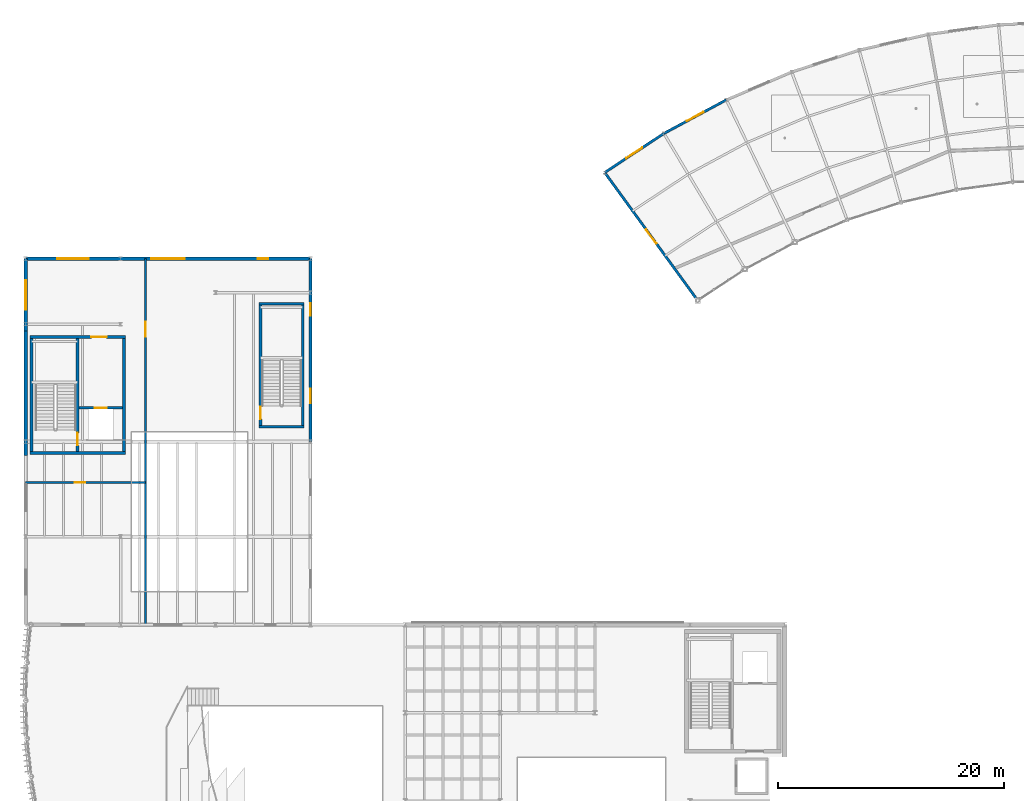
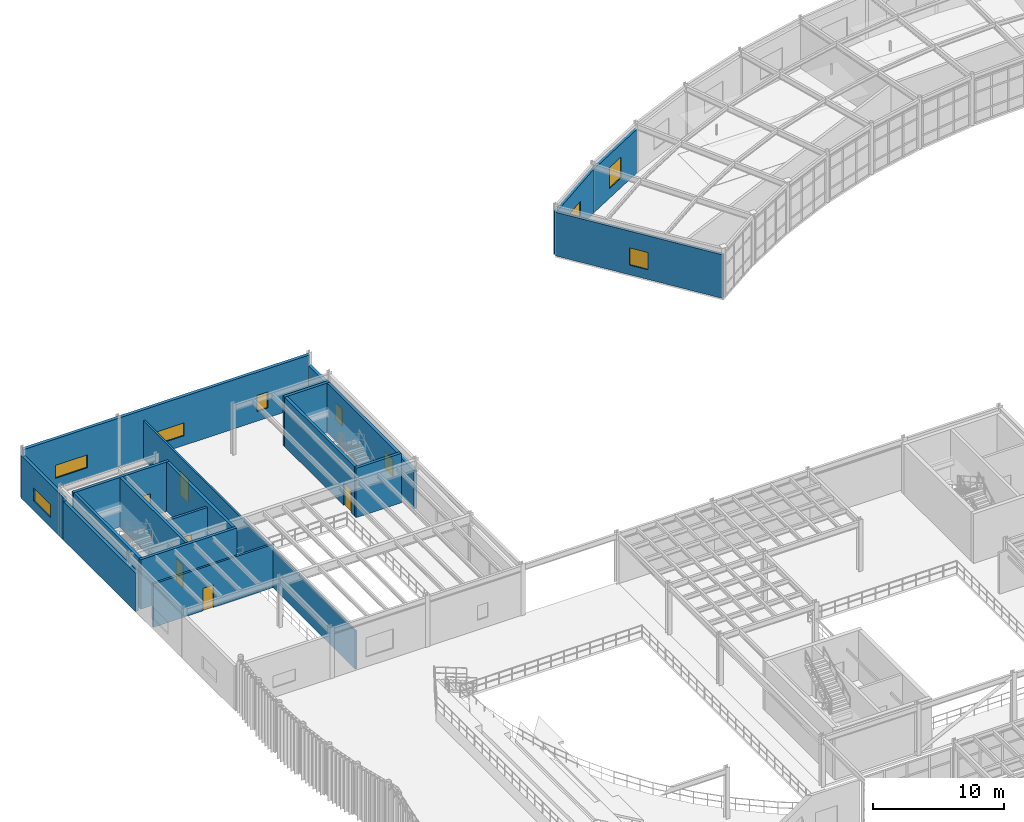
# One storey, part 89 of 105: 19 walls, 9 windows, 6 doors, 15 openings.
"""IFC4 building model written with IfcOpenShell, lengths in metres."""

from ifc_helpers import new_model, si_unit, direction, frame, frame_2d, origin, place, context, subcontext, project, spatial, rectangle, extrude, material, layer, layer_set, type_object, element, fill, save


model = new_model("IFC4")

# Units and contexts
model_context = context("Model", 3, precision=1e-05, world=origin(), true_north=direction((0.0, 1.0)))
body_context = subcontext(model_context, "Body", "Model", "MODEL_VIEW")
ifc_project = project(units=[si_unit("LENGTHUNIT", "METRE"), si_unit("AREAUNIT", "SQUARE_METRE"), si_unit("VOLUMEUNIT", "CUBIC_METRE"), si_unit("PLANEANGLEUNIT", "RADIAN"), si_unit("MASSUNIT", "GRAM", prefix="KILO")], contexts=[model_context])

# Site, building, storey
site_placement = place(None, origin())
site = spatial("IfcSite", under=ifc_project, at=site_placement, CompositionType="ELEMENT")
building_placement = place(site_placement, origin())
building = spatial("IfcBuilding", under=site, at=building_placement, Name="Selat Folded Stagehouse", CompositionType="ELEMENT")
storey_placement = place(building_placement, frame((0.0, 0.0, 10.199951171875)))
storey = spatial("IfcBuildingStorey", under=building, at=storey_placement, Name="L02", CompositionType="ELEMENT", Elevation=10.199951171875)

# Wall, opening, door
ifc_material_1 = material(Name="Concrete C40/50", Category="concrete")
ifc_layer_1 = layer(ifc_material_1, 0.179931640625)
ifc_layer_set_1 = layer_set([ifc_layer_1], Name="Concrete C40/50")
wall_type_1 = type_object("IfcWallType", Name="WAL-COMP-180", PredefinedType="STANDARD", material=ifc_layer_set_1)
wall_1_placement = place(storey_placement, frame((0.0, 67.199951171875, 0.0), z_axis=(0.0, 0.0, 1.0), x_axis=(1.0, 0.0, 0.0)))
wall_1 = element("IfcWall", 1, at=wall_1_placement, inside=storey, type_object=wall_type_1, Name="L02 interior partition wall 080", PredefinedType="STANDARD", context=body_context, shape_type="SweptSolid", body=[
    extrude(rectangle(XDim=10.60009765625, YDim=0.179931640625, at=frame_2d((5.300048828125, 0.0))), origin(), (0.0, 0.0, 1.0), 4.032470703125),
])
opening_1_placement = place(wall_1_placement, frame((4.360595703125, 0.0, 0.0)))
opening_1 = element("IfcOpeningElement", 2, at=opening_1_placement, cuts=wall_1, Name="Opening ID-03B", PredefinedType="OPENING", context=body_context, shape_type="SweptSolid", body=[
    extrude(rectangle(XDim=0.909912109375, YDim=2.10009765625, at=frame_2d((0.455078125, 1.050048828125))), frame((0.0, 0.099853515625, 0.0), z_axis=(0.0, -1.0, 0.0), x_axis=(1.0, 0.0, 0.0)), (0.0, 0.0, 1.0), 0.199951171875),
])
ifc_material_2 = material(Name="Archive room single door", Category="wood")
door_type_1 = type_object("IfcDoorType", Name="DOR-GEN-0910", OperationType="NOTDEFINED", PredefinedType="DOOR", material=ifc_material_2)
door_1_placement = place(opening_1_placement, origin())
door_1 = element("IfcDoor", 3, at=door_1_placement, inside=storey, type_object=door_type_1, Name="L02 interior door IWAL-L02-080-1", OperationType="SINGLE_SWING_RIGHT", OverallHeight=2.10009765625, OverallWidth=0.909912109375, PredefinedType="DOOR", context=body_context, shape_type="SweptSolid", body=[
    extrude(rectangle(XDim=0.909912109375, YDim=2.10009765625, at=frame_2d((0.455078125, 1.050048828125))), frame((0.0, 0.02490234375, 0.0), z_axis=(0.0, -1.0, 0.0), x_axis=(1.0, 0.0, 0.0)), (0.0, 0.0, 1.0), 0.050048828125),
])
fill(opening_1, door_1)

ifc_layer_2 = layer(ifc_material_1, 0.215087890625)
ifc_layer_set_2 = layer_set([ifc_layer_2], Name="Concrete C40/50")
wall_type_2 = type_object("IfcWallType", Name="WAL-COMP-215", PredefinedType="STANDARD", material=ifc_layer_set_2)
wall_2_placement = place(storey_placement, frame((4.739990234375, 73.800048828125, 0.0), z_axis=(0.0, 0.0, 1.0), x_axis=(1.0, 0.0, 0.0)))
wall_2 = element("IfcWall", 4, at=wall_2_placement, inside=storey, type_object=wall_type_2, Name="L02 PL-04 lift shaft front wall", PredefinedType="STANDARD", context=body_context, shape_type="SweptSolid", body=[
    extrude(rectangle(XDim=3.81494140625, YDim=0.215087890625, at=frame_2d((1.907470703125, 0.0))), origin(), (0.0, 0.0, 1.0), 4.16552734375),
])
opening_2_placement = place(wall_2_placement, frame((1.382568359375, 0.0, 0.0)))
opening_2 = element("IfcOpeningElement", 5, at=opening_2_placement, cuts=wall_2, Name="Opening LD-03", PredefinedType="OPENING", context=body_context, shape_type="SweptSolid", body=[
    extrude(rectangle(XDim=1.050048828125, YDim=2.14990234375, at=frame_2d((0.52490234375, 1.074951171875))), frame((0.0, 0.117431640625, 0.0), z_axis=(0.0, -1.0, 0.0), x_axis=(1.0, 0.0, 0.0)), (0.0, 0.0, 1.0), 0.235107421875),
])
ifc_material_3 = material(Name="Passenger lift stainless sliding landing door", Category="wood")
door_type_2 = type_object("IfcDoorType", Name="DOR-LFT-1050", OperationType="NOTDEFINED", PredefinedType="DOOR", material=ifc_material_3)
door_2_placement = place(opening_2_placement, origin())
door_2 = element("IfcDoor", 6, at=door_2_placement, inside=storey, type_object=door_type_2, Name="L02 PL-04 lift sliding landing door", OperationType="SLIDING_TO_RIGHT", OverallHeight=2.14990234375, OverallWidth=1.050048828125, PredefinedType="DOOR", context=body_context, shape_type="SweptSolid", body=[
    extrude(rectangle(XDim=1.050048828125, YDim=2.14990234375, at=frame_2d((0.52490234375, 1.074951171875))), frame((0.0, 0.02490234375, 0.0), z_axis=(0.0, -1.0, 0.0), x_axis=(1.0, 0.0, 0.0)), (0.0, 0.0, 1.0), 0.050048828125),
])
fill(opening_2, door_2)

# Walls
ifc_material_4 = material(Name="Concrete C50/60", Category="concrete")
ifc_layer_3 = layer(ifc_material_4, 0.25)
ifc_layer_set_3 = layer_set([ifc_layer_3], Name="Concrete C50/60")
wall_type_3 = type_object("IfcWallType", Name="WAL-CORE-250", PredefinedType="SHEAR", material=ifc_layer_set_3)
for number, where, z_axis, x_axis, name in (
    (7, (24.64501953125, 72.1201171875, 0.0), (0.0, 0.0, 1.0), (-1.0, 0.0, 0.0), "L02 ST-07 south shaft wall"),
    (8, (20.655029296875, 83.02001953125, 0.0), (0.0, 0.0, 1.0), (1.0, 0.0, 0.0), "L02 ST-07 north shaft wall"),
):
    element("IfcWall", number, at=place(storey_placement, frame(where, z_axis=z_axis, x_axis=x_axis)), inside=storey, type_object=wall_type_3, Name=name, PredefinedType="SHEAR", context=body_context, shape_type="SweptSolid", body=[
        extrude(rectangle(XDim=3.989990234375, YDim=0.25, at=frame_2d((1.9951171875, 0.0))), origin(), (0.0, 0.0, 1.0), 4.60009765625),
    ])

# Wall, opening, door
wall_3_placement = place(storey_placement, frame((20.780029296875, 72.2451171875, 0.0), z_axis=(0.0, 0.0, 1.0), x_axis=(0.0, 1.0, 0.0)))
wall_3 = element("IfcWall", 9, at=wall_3_placement, inside=storey, type_object=wall_type_3, Name="L02 ST-07 west shaft wall", PredefinedType="SHEAR", context=body_context, shape_type="SweptSolid", body=[
    extrude(rectangle(XDim=10.64990234375, YDim=0.25, at=frame_2d((5.324951171875, 0.0))), origin(), (0.0, 0.0, 1.0), 4.60009765625),
])
opening_3_placement = place(wall_3_placement, frame((0.550048828125, 0.0, 0.0)))
opening_3 = element("IfcOpeningElement", 10, at=opening_3_placement, cuts=wall_3, Name="Opening FD-60", PredefinedType="OPENING", context=body_context, shape_type="SweptSolid", body=[
    extrude(rectangle(XDim=1.10009765625, YDim=2.14990234375, at=frame_2d((0.550048828125, 1.074951171875))), frame((0.0, 0.135009765625, 0.0), z_axis=(0.0, -1.0, 0.0), x_axis=(1.0, 0.0, 0.0)), (0.0, 0.0, 1.0), 0.27001953125),
])
ifc_material_5 = material(Name="Fire-rated timber core door", Category="wood")
door_type_3 = type_object("IfcDoorType", Name="DOR-FIRE-60", OperationType="NOTDEFINED", PredefinedType="DOOR", material=ifc_material_5)
door_3_placement = place(opening_3_placement, origin())
door_3 = element("IfcDoor", 11, at=door_3_placement, inside=storey, type_object=door_type_3, Name="L02 ST-07 stair door", OperationType="SINGLE_SWING_LEFT", OverallHeight=2.14990234375, OverallWidth=1.10009765625, PredefinedType="DOOR", context=body_context, shape_type="SweptSolid", body=[
    extrude(rectangle(XDim=1.10009765625, YDim=2.14990234375, at=frame_2d((0.550048828125, 1.074951171875))), frame((0.0, 0.02490234375, 0.0), z_axis=(0.0, -1.0, 0.0), x_axis=(1.0, 0.0, 0.0)), (0.0, 0.0, 1.0), 0.050048828125),
])
fill(opening_3, door_3)

# Walls
wall_4_placement = place(storey_placement, frame((24.52001953125, 82.89501953125, 0.0), z_axis=(0.0, 0.0, 1.0), x_axis=(0.0, -1.0, 0.0)))
element("IfcWall", 12, at=wall_4_placement, inside=storey, type_object=wall_type_3, Name="L02 ST-07 east shaft wall", PredefinedType="SHEAR", context=body_context, shape_type="SweptSolid", body=[
    extrude(rectangle(XDim=10.64990234375, YDim=0.25, at=frame_2d((5.324951171875, 0.0))), origin(), (0.0, 0.0, 1.0), 4.60009765625),
])
wall_5_placement = place(storey_placement, frame((8.824951171875, 69.800048828125, 0.0), z_axis=(0.0, 0.0, 1.0), x_axis=(-1.0, 0.0, 0.0)))
element("IfcWall", 13, at=wall_5_placement, inside=storey, type_object=wall_type_3, Name="L02 CR-5 south shear wall", PredefinedType="SHEAR", context=body_context, shape_type="SweptSolid", body=[
    extrude(rectangle(XDim=8.449951171875, YDim=0.25, at=frame_2d((4.22509765625, 0.0))), origin(), (0.0, 0.0, 1.0), 4.60009765625),
])

# Wall, opening, door
wall_6_placement = place(storey_placement, frame((0.375, 80.06005859375, 0.0), z_axis=(0.0, 0.0, 1.0), x_axis=(1.0, 0.0, 0.0)))
wall_6 = element("IfcWall", 14, at=wall_6_placement, inside=storey, type_object=wall_type_3, Name="L02 CR-5 north shear wall", PredefinedType="SHEAR", context=body_context, shape_type="SweptSolid", body=[
    extrude(rectangle(XDim=8.449951171875, YDim=0.25, at=frame_2d((4.22509765625, 0.0))), origin(), (0.0, 0.0, 1.0), 4.60009765625),
])
opening_4_placement = place(wall_6_placement, frame((5.449951171875, 0.0, 0.0)))
opening_4 = element("IfcOpeningElement", 15, at=opening_4_placement, cuts=wall_6, Name="Opening FD-60B", PredefinedType="OPENING", context=body_context, shape_type="SweptSolid", body=[
    extrude(rectangle(XDim=1.35009765625, YDim=2.14990234375, at=frame_2d((0.675048828125, 1.074951171875))), frame((0.0, 0.135009765625, 0.0), z_axis=(0.0, -1.0, 0.0), x_axis=(1.0, 0.0, 0.0)), (0.0, 0.0, 1.0), 0.27001953125),
])
ifc_material_6 = material(Name="Protected stair escape door", Category="wood")
door_type_4 = type_object("IfcDoorType", Name="DOR-STR-1350", OperationType="NOTDEFINED", PredefinedType="DOOR", material=ifc_material_6)
door_4_placement = place(opening_4_placement, origin())
door_4 = element("IfcDoor", 16, at=door_4_placement, inside=storey, type_object=door_type_4, Name="L02 CR-5 core lobby fire door", OperationType="SINGLE_SWING_RIGHT", OverallHeight=2.14990234375, OverallWidth=1.35009765625, PredefinedType="DOOR", context=body_context, shape_type="SweptSolid", body=[
    extrude(rectangle(XDim=1.35009765625, YDim=2.14990234375, at=frame_2d((0.675048828125, 1.074951171875))), frame((0.0, 0.02490234375, 0.0), z_axis=(0.0, -1.0, 0.0), x_axis=(1.0, 0.0, 0.0)), (0.0, 0.0, 1.0), 0.050048828125),
])
fill(opening_4, door_4)

# Walls
for number, where, z_axis, x_axis, name in (
    (17, (0.5, 69.925048828125, 0.0), (0.0, 0.0, 1.0), (0.0, 1.0, 0.0), "L02 CR-5 west shear wall"),
    (18, (8.699951171875, 79.93505859375, 0.0), (0.0, 0.0, 1.0), (0.0, -1.0, 0.0), "L02 CR-5 east shear wall"),
):
    element("IfcWall", number, at=place(storey_placement, frame(where, z_axis=z_axis, x_axis=x_axis)), inside=storey, type_object=wall_type_3, Name=name, PredefinedType="SHEAR", context=body_context, shape_type="SweptSolid", body=[
        extrude(rectangle(XDim=10.010009765625, YDim=0.25, at=frame_2d((5.0048828125, 0.0))), origin(), (0.0, 0.0, 1.0), 4.60009765625),
    ])

# Wall, opening, door
wall_7_placement = place(storey_placement, frame((4.580078125, 79.93505859375, 0.0), z_axis=(0.0, 0.0, 1.0), x_axis=(0.0, -1.0, 0.0)))
wall_7 = element("IfcWall", 19, at=wall_7_placement, inside=storey, type_object=wall_type_3, Name="L02 CR-5 internal core divider wall", PredefinedType="SHEAR", context=body_context, shape_type="SweptSolid", body=[
    extrude(rectangle(XDim=10.010009765625, YDim=0.25, at=frame_2d((5.0048828125, 0.0))), origin(), (0.0, 0.0, 1.0), 4.60009765625),
])
opening_5_placement = place(wall_7_placement, frame((8.360107421875, 0.0, 0.0)))
opening_5 = element("IfcOpeningElement", 20, at=opening_5_placement, cuts=wall_7, Name="Opening FD-60", PredefinedType="OPENING", context=body_context, shape_type="SweptSolid", body=[
    extrude(rectangle(XDim=1.10009765625, YDim=2.14990234375, at=frame_2d((0.550048828125, 1.074951171875))), frame((0.0, 0.135009765625, 0.0), z_axis=(0.0, -1.0, 0.0), x_axis=(1.0, 0.0, 0.0)), (0.0, 0.0, 1.0), 0.27001953125),
])
door_5_placement = place(opening_5_placement, origin())
door_5 = element("IfcDoor", 21, at=door_5_placement, inside=storey, type_object=door_type_3, Name="L02 CR-5 protected stair fire door", OperationType="SINGLE_SWING_LEFT", OverallHeight=2.14990234375, OverallWidth=1.10009765625, PredefinedType="DOOR", context=body_context, shape_type="SweptSolid", body=[
    extrude(rectangle(XDim=1.10009765625, YDim=2.14990234375, at=frame_2d((0.550048828125, 1.074951171875))), frame((0.0, 0.02490234375, 0.0), z_axis=(0.0, -1.0, 0.0), x_axis=(1.0, 0.0, 0.0)), (0.0, 0.0, 1.0), 0.050048828125),
])
fill(opening_5, door_5)

# Wall, opening, window
ifc_material_7 = material(Name="Precast concrete C40/50", Category="concrete")
ifc_layer_4 = layer(ifc_material_7, 0.22998046875)
ifc_layer_set_4 = layer_set([ifc_layer_4], Name="Precast concrete C40/50")
wall_type_4 = type_object("IfcWallType", Name="WAL-EXT-230", PredefinedType="STANDARD", material=ifc_layer_set_4)
wall_8_placement = place(storey_placement, frame((59.48388671875, 83.304931640625, 0.0), z_axis=(0.0, 0.0, 1.0), x_axis=(-0.587787980643, 0.809015012105, 0.0)))
wall_8 = element("IfcWall", 22, at=wall_8_placement, inside=storey, type_object=wall_type_4, Name="L02 exterior facade wall EW-L02-V6W", PredefinedType="STANDARD", context=body_context, shape_type="SweptSolid", body=[
    extrude(rectangle(XDim=14.0, YDim=0.22998046875, at=frame_2d((7.0, 0.0))), origin(), (0.0, 0.0, 1.0), 4.05908203125),
])
opening_6_placement = place(wall_8_placement, frame((6.22509765625, 0.0, 0.89990234375)))
opening_6 = element("IfcOpeningElement", 23, at=opening_6_placement, cuts=wall_8, Name="Opening WN-22", PredefinedType="OPENING", context=body_context, shape_type="SweptSolid", body=[
    extrude(rectangle(XDim=1.550048828125, YDim=1.60009765625, at=frame_2d((0.77490234375, 0.800048828125))), frame((0.0, 0.125, 0.0), z_axis=(0.0, -1.0, 0.0), x_axis=(1.0, 0.0, 0.0)), (0.0, 0.0, 1.0), 0.25),
])
ifc_material_8 = material(Name="Thermally broken aluminium and acoustic low-E glass", Category="aluminium")
window_type_1 = type_object("IfcWindowType", Name="WIN-DR-1550x1600", PartitioningType="SINGLE_PANEL", PredefinedType="WINDOW", material=ifc_material_8)
window_1_placement = place(opening_6_placement, origin())
window_1 = element("IfcWindow", 24, at=window_1_placement, inside=storey, type_object=window_type_1, Name="L02 exterior window EW-L02-V6W-1", OverallHeight=1.60009765625, OverallWidth=1.550048828125, PartitioningType="SINGLE_PANEL", PredefinedType="WINDOW", context=body_context, shape_type="SweptSolid", body=[
    extrude(rectangle(XDim=1.550048828125, YDim=1.60009765625, at=frame_2d((0.77490234375, 0.800048828125))), frame((0.0, 0.030029296875, 0.0), z_axis=(0.0, -1.0, 0.0), x_axis=(1.0, 0.0, 0.0)), (0.0, 0.0, 1.0), 0.06005859375),
])
fill(opening_6, window_1)

wall_9_placement = place(storey_placement, frame((51.2548828125, 94.631103515625, 0.0), z_axis=(0.0, 0.0, 1.0), x_axis=(0.834582959038, 0.550882278244, 0.0)))
wall_9 = element("IfcWall", 25, at=wall_9_placement, inside=storey, type_object=wall_type_4, Name="L02 exterior facade wall EW-L02-V6OUT-00", PredefinedType="STANDARD", context=body_context, shape_type="SweptSolid", body=[
    extrude(rectangle(XDim=6.28125, YDim=0.22998046875, at=frame_2d((3.140625, 0.0))), origin(), (0.0, 0.0, 1.0), 4.05908203125),
])
opening_7_placement = place(wall_9_placement, frame((2.29052734375, 0.0, 0.89990234375)))
opening_7 = element("IfcOpeningElement", 26, at=opening_7_placement, cuts=wall_9, Name="Opening WN-21", PredefinedType="OPENING", context=body_context, shape_type="SweptSolid", body=[
    extrude(rectangle(XDim=1.699951171875, YDim=1.60009765625, at=frame_2d((0.85009765625, 0.800048828125))), frame((0.0, 0.125, 0.0), z_axis=(0.0, -1.0, 0.0), x_axis=(1.0, 0.0, 0.0)), (0.0, 0.0, 1.0), 0.25),
])
window_type_2 = type_object("IfcWindowType", Name="WIN-DR-1700x1600", PartitioningType="SINGLE_PANEL", PredefinedType="WINDOW", material=ifc_material_8)
window_2_placement = place(opening_7_placement, origin())
window_2 = element("IfcWindow", 27, at=window_2_placement, inside=storey, type_object=window_type_2, Name="L02 exterior window EW-L02-V6OUT-00-1", OverallHeight=1.60009765625, OverallWidth=1.699951171875, PartitioningType="SINGLE_PANEL", PredefinedType="WINDOW", context=body_context, shape_type="SweptSolid", body=[
    extrude(rectangle(XDim=1.699951171875, YDim=1.60009765625, at=frame_2d((0.85009765625, 0.800048828125))), frame((0.0, 0.030029296875, 0.0), z_axis=(0.0, -1.0, 0.0), x_axis=(1.0, 0.0, 0.0)), (0.0, 0.0, 1.0), 0.06005859375),
])
fill(opening_7, window_2)

wall_10_placement = place(storey_placement, frame((56.4970703125, 98.09130859375, 0.0), z_axis=(0.0, 0.0, 1.0), x_axis=(0.880582156138, 0.473893517883, 0.0)))
wall_10 = element("IfcWall", 28, at=wall_10_placement, inside=storey, type_object=wall_type_4, Name="L02 exterior facade wall EW-L02-V6OUT-01", PredefinedType="STANDARD", context=body_context, shape_type="SweptSolid", body=[
    extrude(rectangle(XDim=6.281005859375, YDim=0.22998046875, at=frame_2d((3.140625, 0.0))), origin(), (0.0, 0.0, 1.0), 4.05908203125),
])
opening_8_placement = place(wall_10_placement, frame((2.29052734375, 0.0, 0.89990234375)))
opening_8 = element("IfcOpeningElement", 29, at=opening_8_placement, cuts=wall_10, Name="Opening WN-32", PredefinedType="OPENING", context=body_context, shape_type="SweptSolid", body=[
    extrude(rectangle(XDim=1.699951171875, YDim=1.949951171875, at=frame_2d((0.85009765625, 0.97509765625))), frame((0.0, 0.125, 0.0), z_axis=(0.0, -1.0, 0.0), x_axis=(1.0, 0.0, 0.0)), (0.0, 0.0, 1.0), 0.25),
])
window_type_3 = type_object("IfcWindowType", Name="WIN-ED-1700x1950", PartitioningType="SINGLE_PANEL", PredefinedType="WINDOW", material=ifc_material_8)
window_3_placement = place(opening_8_placement, origin())
window_3 = element("IfcWindow", 30, at=window_3_placement, inside=storey, type_object=window_type_3, Name="L02 exterior window EW-L02-V6OUT-01-1", OverallHeight=1.949951171875, OverallWidth=1.699951171875, PartitioningType="SINGLE_PANEL", PredefinedType="WINDOW", context=body_context, shape_type="SweptSolid", body=[
    extrude(rectangle(XDim=1.699951171875, YDim=1.949951171875, at=frame_2d((0.85009765625, 0.97509765625))), frame((0.0, 0.030029296875, 0.0), z_axis=(0.0, -1.0, 0.0), x_axis=(1.0, 0.0, 0.0)), (0.0, 0.0, 1.0), 0.06005859375),
])
fill(opening_8, window_3)

# Wall
ifc_layer_5 = layer(ifc_material_7, 0.27490234375)
ifc_layer_set_5 = layer_set([ifc_layer_5], Name="Precast concrete C40/50")
wall_type_5 = type_object("IfcWallType", Name="WAL-EXT-275", PredefinedType="STANDARD", material=ifc_layer_set_5)
wall_11_placement = place(storey_placement, frame((0.0, 69.60009765625, 0.0), z_axis=(0.0, 0.0, 1.0), x_axis=(0.0, 1.0, 0.0)))
element("IfcWall", 31, at=wall_11_placement, inside=storey, type_object=wall_type_5, Name="L02 exterior facade wall EW-L02-V4W-2", PredefinedType="STANDARD", context=body_context, shape_type="SweptSolid", body=[
    extrude(rectangle(XDim=11.0, YDim=0.27490234375, at=frame_2d((5.5, 0.0))), origin(), (0.0, 0.0, 1.0), 3.56396484375),
])

# Wall, opening, window
wall_12_placement = place(storey_placement, frame((0.0, 80.60009765625, 0.0), z_axis=(0.0, 0.0, 1.0), x_axis=(0.0, 1.0, 0.0)))
wall_12 = element("IfcWall", 32, at=wall_12_placement, inside=storey, type_object=wall_type_5, Name="L02 exterior facade wall EW-L02-V4W-3", PredefinedType="STANDARD", context=body_context, shape_type="SweptSolid", body=[
    extrude(rectangle(XDim=6.39990234375, YDim=0.27490234375, at=frame_2d((3.199951171875, 0.0))), origin(), (0.0, 0.0, 1.0), 3.954833984375),
])
opening_9_placement = place(wall_12_placement, frame((1.89990234375, 0.0, 0.89990234375)))
opening_9 = element("IfcOpeningElement", 33, at=opening_9_placement, cuts=wall_12, Name="Opening WN-11", PredefinedType="OPENING", context=body_context, shape_type="SweptSolid", body=[
    extrude(rectangle(XDim=2.60009765625, YDim=1.199951171875, at=frame_2d((1.300048828125, 0.60009765625))), frame((0.0, 0.1474609375, 0.0), z_axis=(0.0, -1.0, 0.0), x_axis=(1.0, 0.0, 0.0)), (0.0, 0.0, 1.0), 0.294921875),
])
window_type_4 = type_object("IfcWindowType", Name="WIN-CL-2600x1200", PartitioningType="SINGLE_PANEL", PredefinedType="WINDOW", material=ifc_material_8)
window_4_placement = place(opening_9_placement, origin())
window_4 = element("IfcWindow", 34, at=window_4_placement, inside=storey, type_object=window_type_4, Name="L02 exterior window EW-L02-V4W-3-1", OverallHeight=1.199951171875, OverallWidth=2.60009765625, PartitioningType="SINGLE_PANEL", PredefinedType="WINDOW", context=body_context, shape_type="SweptSolid", body=[
    extrude(rectangle(XDim=2.60009765625, YDim=1.199951171875, at=frame_2d((1.300048828125, 0.60009765625))), frame((0.0, 0.030029296875, 0.0), z_axis=(0.0, -1.0, 0.0), x_axis=(1.0, 0.0, 0.0)), (0.0, 0.0, 1.0), 0.06005859375),
])
fill(opening_9, window_4)

# Wall, openings, windows
wall_13_placement = place(storey_placement, frame((0.0, 87.0, 0.0), z_axis=(0.0, 0.0, 1.0), x_axis=(1.0, 0.0, 0.0)))
wall_13 = element("IfcWall", 35, at=wall_13_placement, inside=storey, type_object=wall_type_5, Name="L02 exterior facade wall EW-L02-V4N", PredefinedType="STANDARD", context=body_context, shape_type="SweptSolid", body=[
    extrude(rectangle(XDim=25.199951171875, YDim=0.27490234375, at=frame_2d((12.60009765625, 0.0))), origin(), (0.0, 0.0, 1.0), 4.552001953125),
])
opening_10_placement = place(wall_13_placement, frame((2.800048828125, 0.0, 0.89990234375)))
opening_10 = element("IfcOpeningElement", 36, at=opening_10_placement, cuts=wall_13, Name="Opening WN-10", PredefinedType="OPENING", context=body_context, shape_type="SweptSolid", body=[
    extrude(rectangle(XDim=2.800048828125, YDim=1.199951171875, at=frame_2d((1.39990234375, 0.60009765625))), frame((0.0, 0.1474609375, 0.0), z_axis=(0.0, -1.0, 0.0), x_axis=(1.0, 0.0, 0.0)), (0.0, 0.0, 1.0), 0.294921875),
])
opening_11_placement = place(wall_13_placement, frame((11.10009765625, 0.0, 0.89990234375)))
opening_11 = element("IfcOpeningElement", 37, at=opening_11_placement, cuts=wall_13, Name="Opening WN-09", PredefinedType="OPENING", context=body_context, shape_type="SweptSolid", body=[
    extrude(rectangle(XDim=3.0, YDim=1.199951171875, at=frame_2d((1.5, 0.60009765625))), frame((0.0, 0.1474609375, 0.0), z_axis=(0.0, -1.0, 0.0), x_axis=(1.0, 0.0, 0.0)), (0.0, 0.0, 1.0), 0.294921875),
])
opening_12_placement = place(wall_13_placement, frame((20.52490234375, 0.0, 0.89990234375)))
opening_12 = element("IfcOpeningElement", 38, at=opening_12_placement, cuts=wall_13, Name="Opening WN-26", PredefinedType="OPENING", context=body_context, shape_type="SweptSolid", body=[
    extrude(rectangle(XDim=0.949951171875, YDim=1.5, at=frame_2d((0.47509765625, 0.75))), frame((0.0, 0.1474609375, 0.0), z_axis=(0.0, -1.0, 0.0), x_axis=(1.0, 0.0, 0.0)), (0.0, 0.0, 1.0), 0.294921875),
])
window_type_5 = type_object("IfcWindowType", Name="WIN-CL-2800x1200", PartitioningType="SINGLE_PANEL", PredefinedType="WINDOW", material=ifc_material_8)
window_5_placement = place(opening_10_placement, origin())
window_5 = element("IfcWindow", 39, at=window_5_placement, inside=storey, type_object=window_type_5, Name="L02 exterior window EW-L02-V4N-1", OverallHeight=1.199951171875, OverallWidth=2.800048828125, PartitioningType="SINGLE_PANEL", PredefinedType="WINDOW", context=body_context, shape_type="SweptSolid", body=[
    extrude(rectangle(XDim=2.800048828125, YDim=1.199951171875, at=frame_2d((1.39990234375, 0.60009765625))), frame((0.0, 0.030029296875, 0.0), z_axis=(0.0, -1.0, 0.0), x_axis=(1.0, 0.0, 0.0)), (0.0, 0.0, 1.0), 0.06005859375),
])
fill(opening_10, window_5)
window_type_6 = type_object("IfcWindowType", Name="WIN-CL-3000x1200", PartitioningType="SINGLE_PANEL", PredefinedType="WINDOW", material=ifc_material_8)
window_6_placement = place(opening_11_placement, origin())
window_6 = element("IfcWindow", 40, at=window_6_placement, inside=storey, type_object=window_type_6, Name="L02 exterior window EW-L02-V4N-2", OverallHeight=1.199951171875, OverallWidth=3.0, PartitioningType="SINGLE_PANEL", PredefinedType="WINDOW", context=body_context, shape_type="SweptSolid", body=[
    extrude(rectangle(XDim=3.0, YDim=1.199951171875, at=frame_2d((1.5, 0.60009765625))), frame((0.0, 0.030029296875, 0.0), z_axis=(0.0, -1.0, 0.0), x_axis=(1.0, 0.0, 0.0)), (0.0, 0.0, 1.0), 0.06005859375),
])
fill(opening_11, window_6)
window_type_7 = type_object("IfcWindowType", Name="WIN-DR-0950x1500", PartitioningType="SINGLE_PANEL", PredefinedType="WINDOW", material=ifc_material_8)
window_7_placement = place(opening_12_placement, origin())
window_7 = element("IfcWindow", 41, at=window_7_placement, inside=storey, type_object=window_type_7, Name="L02 exterior window EW-L02-V4N-3", OverallHeight=1.5, OverallWidth=0.949951171875, PartitioningType="SINGLE_PANEL", PredefinedType="WINDOW", context=body_context, shape_type="SweptSolid", body=[
    extrude(rectangle(XDim=0.949951171875, YDim=1.5, at=frame_2d((0.47509765625, 0.75))), frame((0.0, 0.030029296875, 0.0), z_axis=(0.0, -1.0, 0.0), x_axis=(1.0, 0.0, 0.0)), (0.0, 0.0, 1.0), 0.06005859375),
])
fill(opening_12, window_7)

wall_14_placement = place(storey_placement, frame((25.199951171875, 87.0, 0.0), z_axis=(0.0, 0.0, 1.0), x_axis=(0.0, -1.0, 0.0)))
wall_14 = element("IfcWall", 42, at=wall_14_placement, inside=storey, type_object=wall_type_5, Name="L02 exterior facade wall EW-L02-V4E-1", PredefinedType="STANDARD", context=body_context, shape_type="SweptSolid", body=[
    extrude(rectangle(XDim=16.199951171875, YDim=0.27490234375, at=frame_2d((8.10009765625, 0.0))), origin(), (0.0, 0.0, 1.0), 3.56396484375),
])
opening_13_placement = place(wall_14_placement, frame((3.949951171875, 0.0, 0.89990234375)))
opening_13 = element("IfcOpeningElement", 43, at=opening_13_placement, cuts=wall_14, Name="Opening WN-25", PredefinedType="OPENING", context=body_context, shape_type="SweptSolid", body=[
    extrude(rectangle(XDim=1.10009765625, YDim=1.550048828125, at=frame_2d((0.550048828125, 0.77490234375))), frame((0.0, 0.1474609375, 0.0), z_axis=(0.0, -1.0, 0.0), x_axis=(1.0, 0.0, 0.0)), (0.0, 0.0, 1.0), 0.294921875),
])
opening_14_placement = place(wall_14_placement, frame((11.52490234375, 0.0, 0.89990234375)))
opening_14 = element("IfcOpeningElement", 44, at=opening_14_placement, cuts=wall_14, Name="Opening WN-24", PredefinedType="OPENING", context=body_context, shape_type="SweptSolid", body=[
    extrude(rectangle(XDim=1.25, YDim=1.60009765625, at=frame_2d((0.625, 0.800048828125))), frame((0.0, 0.1474609375, 0.0), z_axis=(0.0, -1.0, 0.0), x_axis=(1.0, 0.0, 0.0)), (0.0, 0.0, 1.0), 0.294921875),
])
window_type_8 = type_object("IfcWindowType", Name="WIN-DR-1100x1550", PartitioningType="SINGLE_PANEL", PredefinedType="WINDOW", material=ifc_material_8)
window_8_placement = place(opening_13_placement, origin())
window_8 = element("IfcWindow", 45, at=window_8_placement, inside=storey, type_object=window_type_8, Name="L02 exterior window EW-L02-V4E-1-1", OverallHeight=1.550048828125, OverallWidth=1.10009765625, PartitioningType="SINGLE_PANEL", PredefinedType="WINDOW", context=body_context, shape_type="SweptSolid", body=[
    extrude(rectangle(XDim=1.10009765625, YDim=1.550048828125, at=frame_2d((0.550048828125, 0.77490234375))), frame((0.0, 0.030029296875, 0.0), z_axis=(0.0, -1.0, 0.0), x_axis=(1.0, 0.0, 0.0)), (0.0, 0.0, 1.0), 0.06005859375),
])
fill(opening_13, window_8)
window_type_9 = type_object("IfcWindowType", Name="WIN-DR-1250x1600", PartitioningType="SINGLE_PANEL", PredefinedType="WINDOW", material=ifc_material_8)
window_9_placement = place(opening_14_placement, origin())
window_9 = element("IfcWindow", 46, at=window_9_placement, inside=storey, type_object=window_type_9, Name="L02 exterior window EW-L02-V4E-1-2", OverallHeight=1.60009765625, OverallWidth=1.25, PartitioningType="SINGLE_PANEL", PredefinedType="WINDOW", context=body_context, shape_type="SweptSolid", body=[
    extrude(rectangle(XDim=1.25, YDim=1.60009765625, at=frame_2d((0.625, 0.800048828125))), frame((0.0, 0.030029296875, 0.0), z_axis=(0.0, -1.0, 0.0), x_axis=(1.0, 0.0, 0.0)), (0.0, 0.0, 1.0), 0.06005859375),
])
fill(opening_14, window_9)

# Wall, opening, door
ifc_material_9 = material(Name="Moisture-resistant sanitary service wall", Category="gypsum")
ifc_layer_6 = layer(ifc_material_9, 0.159912109375)
ifc_layer_set_6 = layer_set([ifc_layer_6], Name="Moisture-resistant sanitary service wall")
wall_type_6 = type_object("IfcWallType", Name="WAL-PLMB-160", PredefinedType="PLUMBINGWALL", material=ifc_layer_set_6)
wall_15_placement = place(storey_placement, frame((10.60009765625, 54.60009765625, 0.0), z_axis=(0.0, 0.0, 1.0), x_axis=(0.0, 1.0, 0.0)))
wall_15 = element("IfcWall", 47, at=wall_15_placement, inside=storey, type_object=wall_type_6, Name="L02 interior partition wall 079", PredefinedType="PLUMBINGWALL", context=body_context, shape_type="SweptSolid", body=[
    extrude(rectangle(XDim=32.39990234375, YDim=0.159912109375, at=frame_2d((16.199951171875, 0.0))), origin(), (0.0, 0.0, 1.0), 3.56396484375),
])
opening_15_placement = place(wall_15_placement, frame((25.501953125, 0.0, 0.0)))
opening_15 = element("IfcOpeningElement", 48, at=opening_15_placement, cuts=wall_15, Name="Opening RD-03", PredefinedType="OPENING", context=body_context, shape_type="SweptSolid", body=[
    extrude(rectangle(XDim=1.300048828125, YDim=2.199951171875, at=frame_2d((0.64990234375, 1.10009765625))), frame((0.0, 0.08984375, 0.0), z_axis=(0.0, -1.0, 0.0), x_axis=(1.0, 0.0, 0.0)), (0.0, 0.0, 1.0), 0.179931640625),
])
ifc_material_10 = material(Name="Voice studio acoustic door", Category="wood")
door_type_5 = type_object("IfcDoorType", Name="DOR-REH-1300", OperationType="NOTDEFINED", PredefinedType="DOOR", material=ifc_material_10)
door_6_placement = place(opening_15_placement, origin())
door_6 = element("IfcDoor", 49, at=door_6_placement, inside=storey, type_object=door_type_5, Name="L02 interior door IWAL-L02-079-1", OperationType="SINGLE_SWING_LEFT", OverallHeight=2.199951171875, OverallWidth=1.300048828125, PredefinedType="DOOR", context=body_context, shape_type="SweptSolid", body=[
    extrude(rectangle(XDim=1.300048828125, YDim=2.199951171875, at=frame_2d((0.64990234375, 1.10009765625))), frame((0.0, 0.02490234375, 0.0), z_axis=(0.0, -1.0, 0.0), x_axis=(1.0, 0.0, 0.0)), (0.0, 0.0, 1.0), 0.050048828125),
])
fill(opening_15, door_6)

save(model, "model.ifc")
